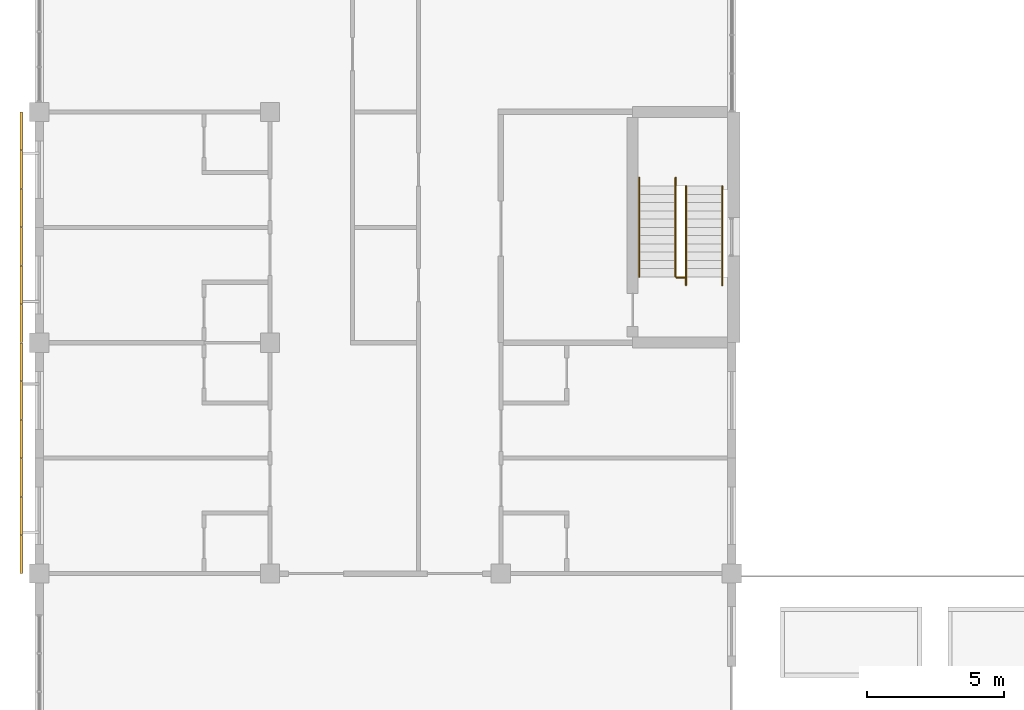
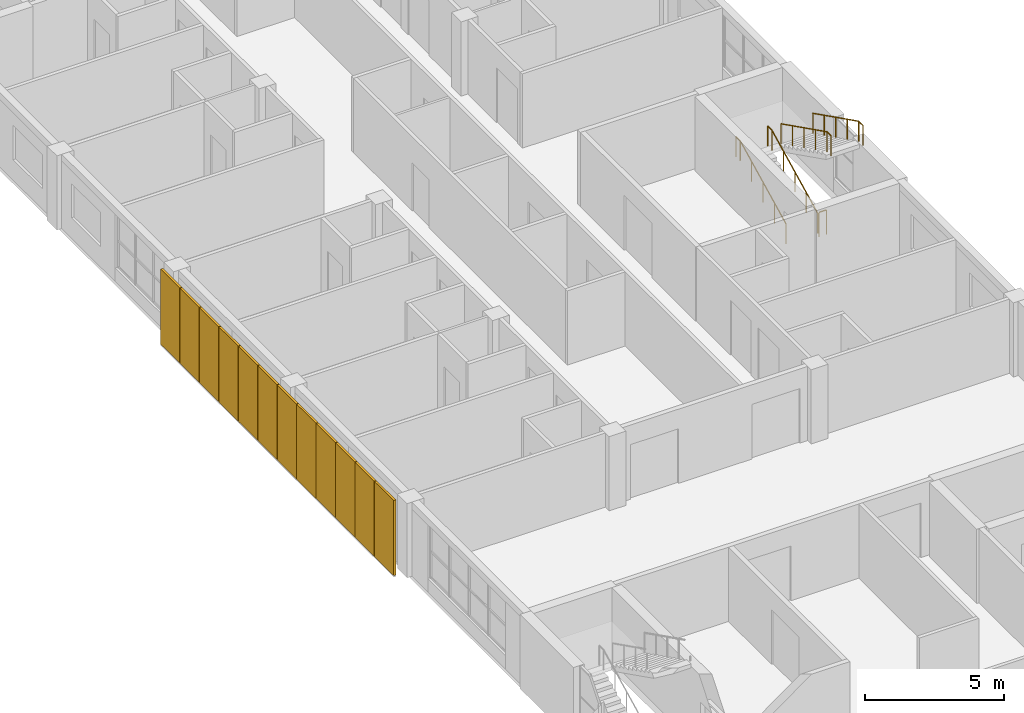
# One storey, part 55 of 61: 12 shading devices, 5 railings.
"""IFC4 building model written with IfcOpenShell, lengths in metres."""

from ifc_helpers import new_model, si_unit, direction, frame, origin, origin_2d, place, context, subcontext, project, spatial, rectangle, circle, extrude, material, layer, layer_set, type_object, element, save


model = new_model("IFC4")

# Units and contexts
model_context = context("Model", 3, precision=1e-05, world=origin(), true_north=direction((0.0, 1.0)))
body_context = subcontext(model_context, "Body", "Model", "MODEL_VIEW")
ifc_project = project(units=[si_unit("LENGTHUNIT", "METRE"), si_unit("AREAUNIT", "SQUARE_METRE"), si_unit("VOLUMEUNIT", "CUBIC_METRE"), si_unit("PLANEANGLEUNIT", "RADIAN"), si_unit("MASSUNIT", "GRAM", prefix="KILO")], contexts=[model_context])

# Site, building, storey
site_placement = place(None, origin())
site = spatial("IfcSite", under=ifc_project, at=site_placement, CompositionType="ELEMENT")
building_placement = place(site_placement, origin())
building = spatial("IfcBuilding", under=site, at=building_placement, Name="Yavir Park General Hospital", CompositionType="ELEMENT")
storey_placement = place(building_placement, frame((0.0, 0.0, 15.300048828125)))
storey = spatial("IfcBuildingStorey", under=building, at=storey_placement, Name="L03", CompositionType="ELEMENT", Elevation=15.300048828125)

# Shading devices
ifc_material_1 = material(Name="Precast concrete perforated block panel", Category="concrete")
ifc_layer = layer(ifc_material_1, 0.092041015625)
ifc_layer_set = layer_set([ifc_layer], Name="Precast concrete perforated block panel")
shading_device_type = type_object("IfcShadingDeviceType", Name="Precast breeze-block screen panel 1380 x 3300 x 92", PredefinedType="JALOUSIE", material=ifc_layer_set)
for number, where, z_axis, x_axis, name in (
    (1, (-0.64990234375, 34.300048828125, 0.0), (0.0, 0.0, 1.0), (1.0, 0.0, 0.0), "Screen panel W5.1.1"),
    (2, (-0.64990234375, 35.699951171875, 0.0), (0.0, 0.0, 1.0), (1.0, 0.0, 0.0), "Screen panel W5.1.2"),
    (3, (-0.64990234375, 37.10009765625, 0.0), (0.0, 0.0, 1.0), (1.0, 0.0, 0.0), "Screen panel W5.1.3"),
    (4, (-0.64990234375, 38.5, 0.0), (0.0, 0.0, 1.0), (1.0, 0.0, 0.0), "Screen panel W5.1.4"),
    (5, (-0.64990234375, 39.89990234375, 0.0), (0.0, 0.0, 1.0), (1.0, 0.0, 0.0), "Screen panel W5.1.5"),
    (6, (-0.64990234375, 41.300048828125, 0.0), (0.0, 0.0, 1.0), (1.0, 0.0, 0.0), "Screen panel W5.1.6"),
    (7, (-0.64990234375, 42.699951171875, 0.0), (0.0, 0.0, 1.0), (1.0, 0.0, 0.0), "Screen panel W6.1.1"),
    (8, (-0.64990234375, 44.10009765625, 0.0), (0.0, 0.0, 1.0), (1.0, 0.0, 0.0), "Screen panel W6.1.2"),
    (9, (-0.64990234375, 45.5, 0.0), (0.0, 0.0, 1.0), (1.0, 0.0, 0.0), "Screen panel W6.1.3"),
    (10, (-0.64990234375, 46.89990234375, 0.0), (0.0, 0.0, 1.0), (1.0, 0.0, 0.0), "Screen panel W6.1.4"),
    (11, (-0.64990234375, 48.300048828125, 0.0), (0.0, 0.0, 1.0), (1.0, 0.0, 0.0), "Screen panel W6.1.5"),
    (12, (-0.64990234375, 49.699951171875, 0.0), (0.0, 0.0, 1.0), (1.0, 0.0, 0.0), "Screen panel W6.1.6"),
):
    element("IfcShadingDevice", number, at=place(storey_placement, frame(where, z_axis=z_axis, x_axis=x_axis)), inside=storey, type_object=shading_device_type, Name=name, PredefinedType="JALOUSIE", context=body_context, shape_type="SweptSolid", body=[
        extrude(rectangle(XDim=0.092041015625, YDim=1.3798828125, at=origin_2d()), origin(), (0.0, 0.0, 1.0), 3.300048828125),
    ])

# Railings
ifc_material_2 = material(Name="Steel balustrade with infill rods", Category="steel")
railing_type_1 = type_object("IfcRailingType", Name="Stair guard, steel balustrade 1100 mm", PredefinedType="GUARDRAIL", material=ifc_material_2)
railing_placement = place(storey_placement, frame((23.199951171875, 44.3701171875, 0.0)))
element("IfcRailing", 13, at=railing_placement, inside=storey, type_object=railing_type_1, Name="Stair well guard SW1 L03", PredefinedType="GUARDRAIL", context=body_context, shape_type="SweptSolid", body=[
    extrude(circle(Radius=0.02392578125, at=origin_2d()), frame((0.0, 0.0, 1.076171875), z_axis=(1.0, 0.0, 0.0), x_axis=(0.0, 1.0, 0.0)), (0.0, 0.0, 1.0), 0.300048828125),
    extrude(circle(Radius=0.02099609375, at=origin_2d()), origin(), (0.0, 0.0, 1.0), 1.052001953125),
    extrude(circle(Radius=0.02099609375, at=origin_2d()), frame((0.300048828125, 0.0, 0.0)), (0.0, 0.0, 1.0), 1.052001953125),
])
ifc_material_3 = material(Name="Stainless steel tube 48 mm", Category="steel")
railing_type_2 = type_object("IfcRailingType", Name="Stair handrail, steel tube, 900 mm above the nosings", PredefinedType="HANDRAIL", material=ifc_material_3)
for number, where, name in (
    (14, (21.840087890625, 44.39990234375, 0.14990234375), "Handrail SW1 L03 1"),
    (15, (23.159912109375, 44.39990234375, 0.14990234375), "Handrail SW1 L03 2"),
):
    element("IfcRailing", number, at=place(storey_placement, frame(where)), inside=storey, type_object=railing_type_2, Name=name, PredefinedType="HANDRAIL", context=body_context, shape_type="SweptSolid", body=[
        extrude(circle(Radius=0.02392578125, at=origin_2d()), frame((0.0, 0.0, 0.8759765625), z_axis=(0.0, 0.894413956696, 0.447240063129), x_axis=(-1.0, 0.0, 0.0)), (0.0, 0.0, 1.0), 3.689697265625),
        extrude(circle(Radius=0.02392578125, at=origin_2d()), frame((0.0, 3.300048828125, 2.52587890625), z_axis=(0.0, 1.0, 0.0), x_axis=(-1.0, 0.0, 0.0)), (0.0, 0.0, 1.0), 0.300048828125),
        extrude(circle(Radius=0.02099609375, at=origin_2d()), origin(), (0.0, 0.0, 1.0), 0.851806640625),
        extrude(circle(Radius=0.02099609375, at=origin_2d()), frame((0.0, 0.824951171875, 0.41259765625)), (0.0, 0.0, 1.0), 0.851806640625),
        extrude(circle(Radius=0.02099609375, at=origin_2d()), frame((0.0, 1.64990234375, 0.8251953125)), (0.0, 0.0, 1.0), 0.851806640625),
        extrude(circle(Radius=0.02099609375, at=origin_2d()), frame((0.0, 2.47509765625, 1.237548828125)), (0.0, 0.0, 1.0), 0.851806640625),
        extrude(circle(Radius=0.02099609375, at=origin_2d()), frame((0.0, 3.300048828125, 1.650146484375)), (0.0, 0.0, 1.0), 0.851806640625),
        extrude(circle(Radius=0.02099609375, at=origin_2d()), frame((0.0, 3.60009765625, 1.650146484375)), (0.0, 0.0, 1.0), 0.851806640625),
    ])
for number, where, name in (
    (16, (24.860107421875, 47.699951171875, 1.949951171875), "Handrail SW1 L03 3"),
    (17, (23.5400390625, 47.699951171875, 1.949951171875), "Handrail SW1 L03 4"),
):
    element("IfcRailing", number, at=place(storey_placement, frame(where)), inside=storey, type_object=railing_type_2, Name=name, PredefinedType="HANDRAIL", context=body_context, shape_type="SweptSolid", body=[
        extrude(circle(Radius=0.02392578125, at=origin_2d()), frame((0.0, 0.0, 0.8759765625), z_axis=(0.0, -0.894440424912, 0.447187126696), x_axis=(1.0, 0.0, 0.0)), (0.0, 0.0, 1.0), 3.689453125),
        extrude(circle(Radius=0.02392578125, at=origin_2d()), frame((0.0, -3.300048828125, 2.52587890625), z_axis=(0.0, -1.0, 0.0), x_axis=(1.0, 0.0, 0.0)), (0.0, 0.0, 1.0), 0.2998046875),
        extrude(circle(Radius=0.02099609375, at=origin_2d()), origin(), (0.0, 0.0, 1.0), 0.851806640625),
        extrude(circle(Radius=0.02099609375, at=origin_2d()), frame((0.0, -0.824951171875, 0.41259765625)), (0.0, 0.0, 1.0), 0.851806640625),
        extrude(circle(Radius=0.02099609375, at=origin_2d()), frame((0.0, -1.64990234375, 0.824951171875)), (0.0, 0.0, 1.0), 0.851806640625),
        extrude(circle(Radius=0.02099609375, at=origin_2d()), frame((0.0, -2.47509765625, 1.2373046875)), (0.0, 0.0, 1.0), 0.851806640625),
        extrude(circle(Radius=0.02099609375, at=origin_2d()), frame((0.0, -3.300048828125, 1.64990234375)), (0.0, 0.0, 1.0), 0.851806640625),
        extrude(circle(Radius=0.02099609375, at=origin_2d()), frame((0.0, -3.599853515625, 1.64990234375)), (0.0, 0.0, 1.0), 0.851806640625),
    ])

save(model, "model.ifc")
